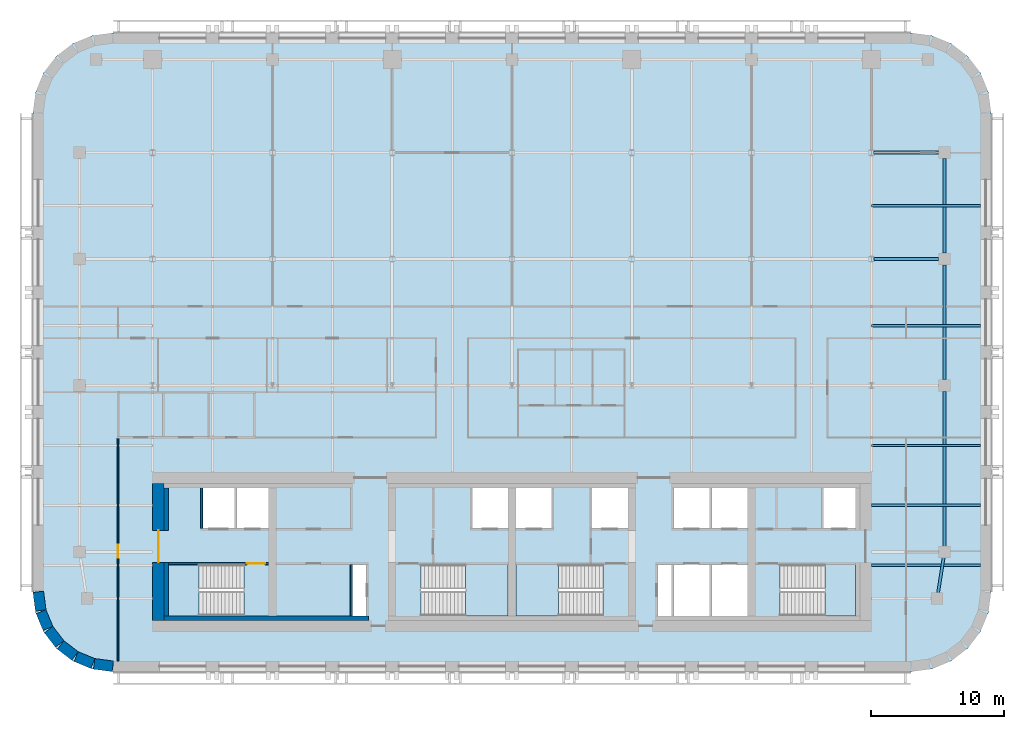
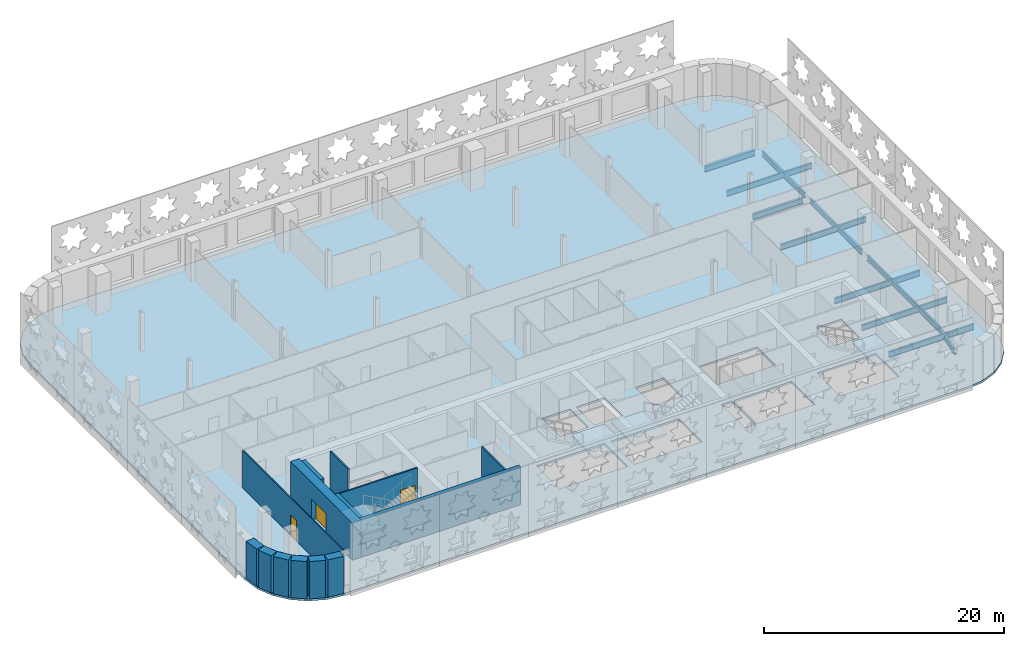
# One storey, part 2 of 12: 14 walls, 11 beams, 5 slabs, 3 doors, 3 openings, 4 elements without a shape of their own.
"""IFC4 building model written with IfcOpenShell, lengths in metres."""

from ifc_helpers import new_model, si_unit, direction, frame, frame_2d, origin, origin_2d, place, context, subcontext, project, spatial, polyline, rectangle, i_section, outline, extrude, material, layer, layer_set, material_profile, profile_set, type_object, element, fill, aggregate, save


model = new_model("IFC4")

# Units and contexts
model_context = context("Model", 3, precision=1e-05, world=origin(), true_north=direction((0.0, 1.0)))
body_context = subcontext(model_context, "Body", "Model", "MODEL_VIEW")
ifc_project = project(units=[si_unit("LENGTHUNIT", "METRE"), si_unit("AREAUNIT", "SQUARE_METRE"), si_unit("VOLUMEUNIT", "CUBIC_METRE"), si_unit("PLANEANGLEUNIT", "RADIAN"), si_unit("MASSUNIT", "GRAM", prefix="KILO")], contexts=[model_context])

# Site, building, storey
site_placement = place(None, origin())
site = spatial("IfcSite", under=ifc_project, at=site_placement, CompositionType="ELEMENT")
building_placement = place(site_placement, origin())
building = spatial("IfcBuilding", under=site, at=building_placement, Name="Zellij Exchange Tower", CompositionType="ELEMENT")
storey_placement = place(building_placement, frame((0.0, 0.0, 196.5)))
storey = spatial("IfcBuildingStorey", under=building, at=storey_placement, Name="L45", CompositionType="ELEMENT", Elevation=196.5)

# Beams
ifc_material_1 = material(Name="Structural steel ASTM A992 Gr 50", Category="steel")
ifc_material_profile_1 = material_profile(ifc_material_1, i_section(OverallWidth=0.177978515625, OverallDepth=0.599365234375, WebThickness=0.010009765625, FlangeThickness=0.012939453125, at=origin_2d()), Name="W24x55")
ifc_profile_set_1 = profile_set([ifc_material_profile_1], Name="Structural steel ASTM A992 Gr 50")
beam_type_1 = type_object("IfcBeamType", Name="STR-BEAM W24x55", PredefinedType="BEAM", material=ifc_profile_set_1)
for number, where, z_axis, x_axis, name in (
    (1, (27.0, -9.0, -0.499755859375), (1.0, 0.0, 0.0), (0.0, 1.0, 0.0), "B4"),
    (2, (27.0, -4.5, -0.499755859375), (1.0, 0.0, 0.0), (0.0, 1.0, 0.0), "B4"),
    (3, (27.0, 0.0, -0.499755859375), (1.0, 0.0, 0.0), (0.0, 1.0, 0.0), "B4"),
    (4, (27.0, 9.0, -0.499755859375), (1.0, 0.0, 0.0), (0.0, 1.0, 0.0), "B4"),
    (5, (27.0, 18.0, -0.499755859375), (1.0, 0.0, 0.0), (0.0, 1.0, 0.0), "B4"),
):
    element("IfcBeam", number, at=place(storey_placement, frame(where, z_axis=z_axis, x_axis=x_axis)), inside=storey, type_object=beam_type_1, Name=name, PredefinedType="BEAM", context=body_context, shape_type="SweptSolid", body=[
        extrude(i_section(OverallWidth=0.177978515625, OverallDepth=0.599365234375, WebThickness=0.010009765625, FlangeThickness=0.012939453125, at=origin_2d()), origin(), (0.0, 0.0, 1.0), 8.199951171875),
    ])
ifc_material_profile_2 = material_profile(ifc_material_1, i_section(OverallWidth=0.209228515625, OverallDepth=0.533447265625, WebThickness=0.01025390625, FlangeThickness=0.015625, at=origin_2d()), Name="W21x62")
ifc_profile_set_2 = profile_set([ifc_material_profile_2], Name="Structural steel ASTM A992 Gr 50")
beam_type_2 = type_object("IfcBeamType", Name="STR-EDGE GIRDER W21x62", PredefinedType="BEAM", material=ifc_profile_set_2)
beam_1_placement = place(storey_placement, frame((31.949951171875, -11.5, -0.466796875), z_axis=(0.155251283593, 0.987875011802, 0.0), x_axis=(-0.987875011802, 0.155251283593, 0.0)))
element("IfcBeam", 6, at=beam_1_placement, inside=storey, type_object=beam_type_2, Name="EB3", PredefinedType="BEAM", context=body_context, shape_type="SweptSolid", body=[
    extrude(i_section(OverallWidth=0.209228515625, OverallDepth=0.533447265625, WebThickness=0.01025390625, FlangeThickness=0.015625, at=origin_2d()), origin(), (0.0, 0.0, 1.0), 3.54296875),
])
beam_2_placement = place(storey_placement, frame((32.5, -8.0, -0.466796875), z_axis=(0.0, 1.0, 0.0), x_axis=(-1.0, 0.0, 0.0)))
element("IfcBeam", 7, at=beam_2_placement, inside=storey, type_object=beam_type_2, Name="EB3", PredefinedType="BEAM", context=body_context, shape_type="SweptSolid", body=[
    extrude(i_section(OverallWidth=0.209228515625, OverallDepth=0.533447265625, WebThickness=0.01025390625, FlangeThickness=0.015625, at=origin_2d()), origin(), (0.0, 0.0, 1.0), 12.050048828125),
])
beam_3_placement = place(storey_placement, frame((32.5, 4.949951171875, -0.466796875), z_axis=(0.0, 1.0, 0.0), x_axis=(-1.0, 0.0, 0.0)))
element("IfcBeam", 8, at=beam_3_placement, inside=storey, type_object=beam_type_2, Name="EB3", PredefinedType="BEAM", context=body_context, shape_type="SweptSolid", body=[
    extrude(i_section(OverallWidth=0.209228515625, OverallDepth=0.533447265625, WebThickness=0.01025390625, FlangeThickness=0.015625, at=origin_2d()), origin(), (0.0, 0.0, 1.0), 8.60009765625),
])
beam_4_placement = place(storey_placement, frame((32.5, 14.449951171875, -0.466796875), z_axis=(0.0, 1.0, 0.0), x_axis=(-1.0, 0.0, 0.0)))
element("IfcBeam", 9, at=beam_4_placement, inside=storey, type_object=beam_type_2, Name="EB3", PredefinedType="BEAM", context=body_context, shape_type="SweptSolid", body=[
    extrude(i_section(OverallWidth=0.209228515625, OverallDepth=0.533447265625, WebThickness=0.01025390625, FlangeThickness=0.015625, at=origin_2d()), origin(), (0.0, 0.0, 1.0), 7.10009765625),
])
ifc_material_profile_3 = material_profile(ifc_material_1, i_section(OverallWidth=0.228271484375, OverallDepth=0.607177734375, WebThickness=0.01123046875, FlangeThickness=0.017333984375, at=origin_2d()), Name="W24x76")
ifc_profile_set_3 = profile_set([ifc_material_profile_3], Name="Structural steel ASTM A992 Gr 50")
beam_type_3 = type_object("IfcBeamType", Name="STR-GIRDER W24x76", PredefinedType="BEAM", material=ifc_profile_set_3)
for number, where, z_axis, x_axis, name in (
    (10, (27.20458984375, 14.0, -0.50341796875), (1.0, 0.0, 0.0), (0.0, 1.0, 0.0), "G2"),
    (11, (27.20458984375, 22.0, -0.50341796875), (1.0, 0.0, 0.0), (0.0, 1.0, 0.0), "G2"),
):
    element("IfcBeam", number, at=place(storey_placement, frame(where, z_axis=z_axis, x_axis=x_axis)), inside=storey, type_object=beam_type_3, Name=name, PredefinedType="BEAM", context=body_context, shape_type="SweptSolid", body=[
        extrude(i_section(OverallWidth=0.228271484375, OverallDepth=0.607177734375, WebThickness=0.01123046875, FlangeThickness=0.017333984375, at=origin_2d()), origin(), (0.0, 0.0, 1.0), 4.845458984375),
    ])

# Stair, slab
ifc_material_2 = material(Name="Concrete C40/50", Category="concrete")
stair_type = type_object("IfcStairType", Name="CORE-ST exit stair 1850 wide", PredefinedType="HALF_TURN_STAIR", material=ifc_material_2)
stair_1_placement = place(storey_placement, origin())
stair_1 = element("IfcStair", 12, at=stair_1_placement, inside=storey, type_object=stair_type, Name="L45 exit stair ST1", PredefinedType="HALF_TURN_STAIR")
ifc_layer_1 = layer(ifc_material_2, 0.199951171875)
ifc_layer_set_1 = layer_set([ifc_layer_1], Name="Concrete C40/50")
slab_type_1 = type_object("IfcSlabType", Name="CORE-SL stair landing 200", PredefinedType="LANDING", material=ifc_layer_set_1)
slab_1_placement = place(storey_placement, frame((0.0, 0.0, 1.800048828125)))
slab_1 = element("IfcSlab", 13, at=slab_1_placement, type_object=slab_type_1, Name="ST1 landing 1", PredefinedType="LANDING", context=body_context, shape_type="SweptSolid", body=[
    extrude(outline(polyline([(-23.510009765625, -8.949951171875), (-25.800048828125, -8.949951171875), (-25.800048828125, -12.800048828125), (-23.510009765625, -12.800048828125), (-23.510009765625, -8.949951171875)])), origin(), (0.0, 0.0, 1.0), 0.199951171875),
])
aggregate(stair_1, [slab_1])

stair_2_placement = place(storey_placement, origin())
stair_2 = element("IfcStair", 14, at=stair_2_placement, inside=storey, type_object=stair_type, Name="L45 exit stair ST2", PredefinedType="HALF_TURN_STAIR")
slab_2_placement = place(storey_placement, frame((0.0, 0.0, 1.800048828125)))
slab_2 = element("IfcSlab", 15, at=slab_2_placement, type_object=slab_type_1, Name="ST2 landing 1", PredefinedType="LANDING", context=body_context, shape_type="SweptSolid", body=[
    extrude(outline(polyline([(-3.489990234375, -12.800048828125), (-0.300048828125, -12.800048828125), (-0.300048828125, -8.949951171875), (-3.489990234375, -8.949951171875), (-3.489990234375, -12.800048828125)])), origin(), (0.0, 0.0, 1.0), 0.199951171875),
])
aggregate(stair_2, [slab_2])

stair_3_placement = place(storey_placement, origin())
stair_3 = element("IfcStair", 16, at=stair_3_placement, inside=storey, type_object=stair_type, Name="L45 exit stair ST3", PredefinedType="HALF_TURN_STAIR")
slab_3_placement = place(storey_placement, frame((0.0, 0.0, 1.800048828125)))
slab_3 = element("IfcSlab", 17, at=slab_3_placement, type_object=slab_type_1, Name="ST3 landing 1", PredefinedType="LANDING", context=body_context, shape_type="SweptSolid", body=[
    extrude(outline(polyline([(3.489990234375, -8.949951171875), (0.300048828125, -8.949951171875), (0.300048828125, -12.800048828125), (3.489990234375, -12.800048828125), (3.489990234375, -8.949951171875)])), origin(), (0.0, 0.0, 1.0), 0.199951171875),
])
aggregate(stair_3, [slab_3])

stair_4_placement = place(storey_placement, origin())
stair_4 = element("IfcStair", 18, at=stair_4_placement, inside=storey, type_object=stair_type, Name="L45 exit stair ST4", PredefinedType="HALF_TURN_STAIR")
slab_4_placement = place(storey_placement, frame((0.0, 0.0, 1.800048828125)))
slab_4 = element("IfcSlab", 19, at=slab_4_placement, type_object=slab_type_1, Name="ST4 landing 1", PredefinedType="LANDING", context=body_context, shape_type="SweptSolid", body=[
    extrude(outline(polyline([(23.510009765625, -12.800048828125), (25.800048828125, -12.800048828125), (25.800048828125, -8.949951171875), (23.510009765625, -8.949951171875), (23.510009765625, -12.800048828125)])), origin(), (0.0, 0.0, 1.0), 0.199951171875),
])
aggregate(stair_4, [slab_4])

# Slab
ifc_layer_2 = layer(ifc_material_2, 0.199951171875)
ifc_layer_set_2 = layer_set([ifc_layer_2], Name="Concrete C40/50")
slab_type_2 = type_object("IfcSlabType", Name="STR-FLOOR SLAB 200 C40/50", PredefinedType="FLOOR", material=ifc_layer_set_2)
slab_5_placement = place(storey_placement, frame((0.0, 0.0, -0.2001953125)))
element("IfcSlab", 20, at=slab_5_placement, inside=storey, type_object=slab_type_2, Name="Floor L45", PredefinedType="FLOOR", context=body_context, shape_type="SweptSolid", body=[
    extrude(outline(polyline([(-30.0, -17.0), (-31.552978515625, -16.795654296875), (-33.0, -16.1962890625), (-34.24267578125, -15.24267578125), (-35.1962890625, -14.0), (-35.795654296875, -12.552978515625), (-36.0, -11.0), (-36.0, 25.0), (-35.795654296875, 26.552978515625), (-35.1962890625, 28.0), (-34.24267578125, 29.24267578125), (-33.0, 30.1962890625), (-31.552978515625, 30.795654296875), (-30.0, 31.0), (30.0, 31.0), (31.552978515625, 30.795654296875), (33.0, 30.1962890625), (34.24267578125, 29.24267578125), (35.1962890625, 28.0), (35.795654296875, 26.552978515625), (36.0, 25.0), (36.0, -11.0), (35.795654296875, -12.552978515625), (35.1962890625, -14.0), (34.24267578125, -15.24267578125), (33.0, -16.1962890625), (31.552978515625, -16.795654296875), (30.0, -17.0), (-30.0, -17.0)]), holes=[polyline([(-25.800048828125, -8.949951171875), (-25.800048828125, -12.800048828125), (-20.153076171875, -12.800048828125), (-20.153076171875, -8.949951171875), (-25.800048828125, -8.949951171875)]), polyline([(-10.949951171875, -8.949951171875), (-12.0, -8.949951171875), (-12.0, -12.800048828125), (-10.949951171875, -12.800048828125), (-10.949951171875, -8.949951171875)]), polyline([(-0.300048828125, -8.949951171875), (-6.846923828125, -8.949951171875), (-6.846923828125, -12.800048828125), (-0.300048828125, -12.800048828125), (-0.300048828125, -8.949951171875)]), polyline([(0.300048828125, -8.949951171875), (0.300048828125, -12.800048828125), (6.846923828125, -12.800048828125), (6.846923828125, -8.949951171875), (0.300048828125, -8.949951171875)]), polyline([(-18.300048828125, -3.199951171875), (-23.25, -3.199951171875), (-23.25, -6.22509765625), (-18.300048828125, -6.22509765625), (-18.300048828125, -3.199951171875)]), polyline([(-0.300048828125, -3.199951171875), (-3.0, -3.199951171875), (-3.0, -6.22509765625), (-0.300048828125, -6.22509765625), (-0.300048828125, -3.199951171875)]), polyline([(0.300048828125, -3.199951171875), (0.300048828125, -6.22509765625), (3.0, -6.22509765625), (3.0, -3.199951171875), (0.300048828125, -3.199951171875)]), polyline([(12.0, -8.949951171875), (10.949951171875, -8.949951171875), (10.949951171875, -12.800048828125), (12.0, -12.800048828125), (12.0, -8.949951171875)]), polyline([(17.699951171875, -8.949951171875), (12.14990234375, -8.949951171875), (12.14990234375, -12.800048828125), (17.699951171875, -12.800048828125), (17.699951171875, -8.949951171875)]), polyline([(25.800048828125, -8.949951171875), (20.153076171875, -8.949951171875), (20.153076171875, -12.800048828125), (25.800048828125, -12.800048828125), (25.800048828125, -8.949951171875)]), polyline([(8.699951171875, -3.199951171875), (6.0, -3.199951171875), (6.0, -6.22509765625), (8.699951171875, -6.22509765625), (8.699951171875, -3.199951171875)]), polyline([(17.699951171875, -3.199951171875), (12.14990234375, -3.199951171875), (12.14990234375, -6.22509765625), (17.699951171875, -6.22509765625), (17.699951171875, -3.199951171875)]), polyline([(25.800048828125, -3.199951171875), (23.39990234375, -3.199951171875), (23.39990234375, -6.22509765625), (25.800048828125, -6.22509765625), (25.800048828125, -3.199951171875)])]), origin(), (0.0, 0.0, 1.0), 0.2001953125),
])

# Walls
ifc_material_3 = material(Name="Concrete C30/37", Category="concrete")
ifc_layer_3 = layer(ifc_material_3, 0.35009765625)
ifc_layer_set_3 = layer_set([ifc_layer_3], Name="Concrete C30/37")
wall_type_1 = type_object("IfcWallType", Name="CORE-LW 350 C30/37", PredefinedType="SHEAR", material=ifc_layer_set_3)
wall_1_placement = place(storey_placement, frame((-26.14990234375, -12.97509765625, 0.0), z_axis=(0.0, 0.0, 1.0), x_axis=(1.0, 0.0, 0.0)))
element("IfcWall", 21, at=wall_1_placement, inside=storey, type_object=wall_type_1, Name="Core wall lining rear.0 L45", PredefinedType="SHEAR", context=body_context, shape_type="SweptSolid", body=[
    extrude(rectangle(XDim=15.349853515625, YDim=0.35009765625, at=frame_2d((7.6748046875, 0.0))), origin(), (0.0, 0.0, 1.0), 3.800048828125),
])
wall_2_placement = place(storey_placement, frame((-25.97509765625, -12.800048828125, 0.0), z_axis=(0.0, 0.0, 1.0), x_axis=(0.0, 1.0, 0.0)))
element("IfcWall", 22, at=wall_2_placement, inside=storey, type_object=wall_type_1, Name="Core wall lining end w.0 L45", PredefinedType="SHEAR", context=body_context, shape_type="SweptSolid", body=[
    extrude(rectangle(XDim=4.0, YDim=0.35009765625, at=frame_2d((2.0, 0.0))), origin(), (0.0, 0.0, 1.0), 3.800048828125),
])
wall_3_placement = place(storey_placement, frame((-25.97509765625, -6.375, 0.0), z_axis=(0.0, 0.0, 1.0), x_axis=(0.0, 1.0, 0.0)))
element("IfcWall", 23, at=wall_3_placement, inside=storey, type_object=wall_type_1, Name="Core wall lining end w.1 L45", PredefinedType="SHEAR", context=body_context, shape_type="SweptSolid", body=[
    extrude(rectangle(XDim=3.175048828125, YDim=0.35009765625, at=frame_2d((1.58740234375, 0.0))), origin(), (0.0, 0.0, 1.0), 3.800048828125),
])
ifc_material_4 = material(Name="Gypsum board partition")
ifc_layer_4 = layer(ifc_material_4, 0.14990234375)
ifc_layer_set_4 = layer_set([ifc_layer_4], Name="Gypsum board partition")
wall_type_2 = type_object("IfcWallType", Name="CORE-PW 150 Lift lobby wall", PredefinedType="PARTITIONING", material=ifc_layer_set_4)
wall_4_placement = place(storey_placement, frame((-12.074951171875, -12.800048828125, 0.0), z_axis=(0.0, 0.0, 1.0), x_axis=(0.0, 1.0, 0.0)))
element("IfcWall", 24, at=wall_4_placement, inside=storey, type_object=wall_type_2, Name="Lift lobby wall L45", PredefinedType="PARTITIONING", context=body_context, shape_type="SweptSolid", body=[
    extrude(rectangle(XDim=3.85009765625, YDim=0.14990234375, at=frame_2d((1.925048828125, 0.0))), origin(), (0.0, 0.0, 1.0), 3.800048828125),
])
ifc_material_5 = material(Name="Gypsum shaft wall system")
ifc_layer_5 = layer(ifc_material_5, 0.14990234375)
ifc_layer_set_5 = layer_set([ifc_layer_5], Name="Gypsum shaft wall system")
wall_type_3 = type_object("IfcWallType", Name="CORE-PW 150 Lift shaft wall", PredefinedType="PARTITIONING", material=ifc_layer_set_5)
wall_5_placement = place(storey_placement, frame((-23.324951171875, -6.22509765625, 0.0), z_axis=(0.0, 0.0, 1.0), x_axis=(0.0, 1.0, 0.0)))
element("IfcWall", 25, at=wall_5_placement, inside=storey, type_object=wall_type_3, Name="Lift shaft wall L45", PredefinedType="PARTITIONING", context=body_context, shape_type="SweptSolid", body=[
    extrude(rectangle(XDim=3.025146484375, YDim=0.14990234375, at=frame_2d((1.5126953125, 0.0))), origin(), (0.0, 0.0, 1.0), 3.800048828125),
])

# Wall, opening, door
ifc_material_6 = material(Name="Concrete C60/75", Category="concrete")
ifc_layer_6 = layer(ifc_material_6, 0.85009765625)
ifc_layer_set_6 = layer_set([ifc_layer_6], Name="Concrete C60/75")
wall_type_4 = type_object("IfcWallType", Name="CORE-SW 850 C60/75", PredefinedType="SHEAR", material=ifc_layer_set_6)
wall_6_placement = place(storey_placement, frame((-26.574951171875, -13.14990234375, 0.0), z_axis=(0.0, 0.0, 1.0), x_axis=(0.0, 1.0, 0.0)))
wall_6 = element("IfcWall", 26, at=wall_6_placement, inside=storey, type_object=wall_type_4, Name="Core shear wall end w L45", PredefinedType="SHEAR", context=body_context, shape_type="SweptSolid", body=[
    extrude(rectangle(XDim=10.2998046875, YDim=0.85009765625, at=frame_2d((5.14990234375, 0.0))), origin(), (0.0, 0.0, 1.0), 3.800048828125),
])
opening_1_placement = place(wall_6_placement, frame((4.362060546875, 0.0, 0.0)))
opening_1 = element("IfcOpeningElement", 27, at=opening_1_placement, cuts=wall_6, Name="Opening CA-24.01", PredefinedType="OPENING", context=body_context, shape_type="SweptSolid", body=[
    extrude(rectangle(XDim=2.39990234375, YDim=2.10009765625, at=frame_2d((1.199951171875, 1.050048828125))), frame((0.0, 0.43701171875, 0.0), z_axis=(0.0, -1.0, 0.0), x_axis=(1.0, 0.0, 0.0)), (0.0, 0.0, 1.0), 0.8740234375),
])
ifc_material_7 = material(Name="Hollow metal fire door")
door_type_1 = type_object("IfcDoorType", Name="CORE-D CE Core entrance door 2400x2100 20 MIN", OperationType="NOTDEFINED", PredefinedType="DOOR", material=ifc_material_7)
door_1_placement = place(opening_1_placement, origin())
door_1 = element("IfcDoor", 28, at=door_1_placement, inside=storey, type_object=door_type_1, Name="Core entrance door CA-24.01", OperationType="DOUBLE_DOOR_SINGLE_SWING", OverallHeight=2.10009765625, OverallWidth=2.39990234375, PredefinedType="DOOR", context=body_context, shape_type="SweptSolid", body=[
    extrude(rectangle(XDim=2.39990234375, YDim=2.10009765625, at=frame_2d((1.199951171875, 1.050048828125))), frame((0.0, 0.02490234375, 0.0), z_axis=(0.0, -1.0, 0.0), x_axis=(1.0, 0.0, 0.0)), (0.0, 0.0, 1.0), 0.050048828125),
])
fill(opening_1, door_1)

ifc_layer_7 = layer(ifc_material_6, 0.14990234375)
ifc_layer_set_7 = layer_set([ifc_layer_7], Name="Concrete C60/75")
wall_type_5 = type_object("IfcWallType", Name="CORE-SWS 150 C60/75", PredefinedType="SHEAR", material=ifc_layer_set_7)
wall_7_placement = place(storey_placement, frame((-25.800048828125, -8.875, 0.0), z_axis=(0.0, 0.0, 1.0), x_axis=(1.0, 0.0, 0.0)))
wall_7 = element("IfcWall", 29, at=wall_7_placement, inside=storey, type_object=wall_type_5, Name="Stair enclosure wall L45", PredefinedType="SHEAR", context=body_context, shape_type="SweptSolid", body=[
    extrude(rectangle(XDim=7.5, YDim=0.14990234375, at=frame_2d((3.75, 0.0))), origin(), (0.0, 0.0, 1.0), 3.800048828125),
])
opening_2_placement = place(wall_7_placement, frame((5.875, 0.0, 0.0)))
opening_2 = element("IfcOpeningElement", 30, at=opening_2_placement, cuts=wall_7, Name="Opening CA-24.04", PredefinedType="OPENING", context=body_context, shape_type="SweptSolid", body=[
    extrude(rectangle(XDim=1.39990234375, YDim=2.10009765625, at=frame_2d((0.699951171875, 1.050048828125))), frame((0.0, 0.0869140625, 0.0), z_axis=(0.0, -1.0, 0.0), x_axis=(1.0, 0.0, 0.0)), (0.0, 0.0, 1.0), 0.173828125),
])
door_type_2 = type_object("IfcDoorType", Name="CORE-D SD Stair door 1400x2100 1.5 HR", OperationType="NOTDEFINED", PredefinedType="DOOR", material=ifc_material_7)
door_2_placement = place(opening_2_placement, origin())
door_2 = element("IfcDoor", 31, at=door_2_placement, inside=storey, type_object=door_type_2, Name="Stair door CA-24.04", OperationType="DOUBLE_DOOR_SINGLE_SWING", OverallHeight=2.10009765625, OverallWidth=1.39990234375, PredefinedType="DOOR", context=body_context, shape_type="SweptSolid", body=[
    extrude(rectangle(XDim=1.39990234375, YDim=2.10009765625, at=frame_2d((0.699951171875, 1.050048828125))), frame((0.0, 0.02490234375, 0.0), z_axis=(0.0, -1.0, 0.0), x_axis=(1.0, 0.0, 0.0)), (0.0, 0.0, 1.0), 0.050048828125),
])
fill(opening_2, door_2)

# Walls
ifc_material_8 = material(Name="Precast concrete C40/50", Category="concrete")
ifc_layer_8 = layer(ifc_material_8, 0.800048828125)
ifc_layer_set_8 = layer_set([ifc_layer_8], Name="Precast concrete C40/50")
wall_type_6 = type_object("IfcWallType", Name="ENV-EW1 Precast stone-piered wall 800", PredefinedType="SOLIDWALL", material=ifc_layer_set_8)
wall_8_placement = place(storey_placement, frame((-35.5966796875, -10.999755859375, 0.0), z_axis=(0.0, 0.0, 1.0), x_axis=(0.130517283865, -0.99144603414, 0.0)))
element("IfcWall", 32, at=wall_8_placement, inside=storey, type_object=wall_type_6, Name="fac.L45.22", PredefinedType="SOLIDWALL", context=body_context, shape_type="SweptSolid", body=[
    extrude(rectangle(XDim=1.408447265625, YDim=0.800048828125, at=frame_2d((0.7041015625, 0.0))), origin(), (0.0, 0.0, 1.0), 3.800048828125),
])
wall_9_placement = place(storey_placement, frame((-35.3857421875, -12.497314453125, 0.0), z_axis=(0.0, 0.0, 1.0), x_axis=(0.38276009378, -0.923847774587, 0.0)))
element("IfcWall", 33, at=wall_9_placement, inside=storey, type_object=wall_type_6, Name="fac.L45.23", PredefinedType="SOLIDWALL", context=body_context, shape_type="SweptSolid", body=[
    extrude(rectangle(XDim=1.35546875, YDim=0.800048828125, at=frame_2d((0.677734375, 0.0))), origin(), (0.0, 0.0, 1.0), 3.800048828125),
])
for number, where, z_axis, x_axis, name in (
    (34, (-34.814697265625, -13.840087890625, 0.0), (0.0, 0.0, 1.0), (0.608866226366, -0.793272915452, 0.0), "fac.L45.24"),
    (35, (-33.91552734375, -14.9892578125, 0.0), (0.0, 0.0, 1.0), (0.793272915452, -0.608866226366, 0.0), "fac.L45.25"),
):
    element("IfcWall", number, at=place(storey_placement, frame(where, z_axis=z_axis, x_axis=x_axis)), inside=storey, type_object=wall_type_6, Name=name, PredefinedType="SOLIDWALL", context=body_context, shape_type="SweptSolid", body=[
        extrude(rectangle(XDim=1.355712890625, YDim=0.800048828125, at=frame_2d((0.677734375, 0.0))), origin(), (0.0, 0.0, 1.0), 3.800048828125),
    ])
wall_10_placement = place(storey_placement, frame((-32.74951171875, -15.866943359375, 0.0), z_axis=(0.0, 0.0, 1.0), x_axis=(0.923847774587, -0.38276009378, 0.0)))
element("IfcWall", 36, at=wall_10_placement, inside=storey, type_object=wall_type_6, Name="fac.L45.26", PredefinedType="SOLIDWALL", context=body_context, shape_type="SweptSolid", body=[
    extrude(rectangle(XDim=1.35546875, YDim=0.800048828125, at=frame_2d((0.677734375, 0.0))), origin(), (0.0, 0.0, 1.0), 3.800048828125),
])
wall_11_placement = place(storey_placement, frame((-31.396240234375, -16.412841796875, 0.0), z_axis=(0.0, 0.0, 1.0), x_axis=(0.99144603414, -0.130517283865, 0.0)))
element("IfcWall", 37, at=wall_11_placement, inside=storey, type_object=wall_type_6, Name="fac.L45.27", PredefinedType="SOLIDWALL", context=body_context, shape_type="SweptSolid", body=[
    extrude(rectangle(XDim=1.408447265625, YDim=0.800048828125, at=frame_2d((0.7041015625, 0.0))), origin(), (0.0, 0.0, 1.0), 3.800048828125),
])

# Wall, opening, door
ifc_material_9 = material(Name="Gypsum board partition on steel studs", Category="steel")
ifc_layer_9 = layer(ifc_material_9, 0.10009765625)
ifc_layer_set_9 = layer_set([ifc_layer_9], Name="Gypsum board partition on steel studs")
wall_type_7 = type_object("IfcWallType", Name="FIT-PARTITION-100", PredefinedType="PARTITIONING", material=ifc_layer_set_9)
wall_12_placement = place(storey_placement, frame((-29.60009765625, -16.199951171875, 0.0), z_axis=(0.0, 0.0, 1.0), x_axis=(0.0, 1.0, 0.0)))
wall_12 = element("IfcWall", 38, at=wall_12_placement, inside=storey, type_object=wall_type_7, Name="FIT-PARTITION-100 001", PredefinedType="PARTITIONING", context=body_context, shape_type="SweptSolid", body=[
    extrude(rectangle(XDim=16.724853515625, YDim=0.10009765625, at=frame_2d((8.3623046875, 0.0))), origin(), (0.0, 0.0, 1.0), 3.800048828125),
])
opening_3_placement = place(wall_12_placement, frame((7.75, 0.0, 0.0)))
opening_3 = element("IfcOpeningElement", 39, at=opening_3_placement, cuts=wall_12, Name="Opening O3D.02", PredefinedType="OPENING", context=body_context, shape_type="SweptSolid", body=[
    extrude(rectangle(XDim=1.0, YDim=2.10009765625, at=frame_2d((0.5, 1.050048828125))), frame((0.0, 0.06201171875, 0.0), z_axis=(0.0, -1.0, 0.0), x_axis=(1.0, 0.0, 0.0)), (0.0, 0.0, 1.0), 0.1240234375),
])
ifc_material_10 = material(Name="Timber door set", Category="wood")
door_type_3 = type_object("IfcDoorType", Name="FIT-D2-WIDE-1000X2100", OperationType="SINGLE_SWING_LEFT", PredefinedType="DOOR", material=ifc_material_10)
door_3_placement = place(opening_3_placement, origin())
door_3 = element("IfcDoor", 40, at=door_3_placement, inside=storey, type_object=door_type_3, Name="Door O3D.02", OperationType="SINGLE_SWING_RIGHT", OverallHeight=2.10009765625, OverallWidth=1.0, PredefinedType="DOOR", context=body_context, shape_type="SweptSolid", body=[
    extrude(rectangle(XDim=1.0, YDim=2.10009765625, at=frame_2d((0.5, 1.050048828125))), frame((0.0, 0.02490234375, 0.0), z_axis=(0.0, -1.0, 0.0), x_axis=(1.0, 0.0, 0.0)), (0.0, 0.0, 1.0), 0.050048828125),
])
fill(opening_3, door_3)

save(model, "model.ifc")
